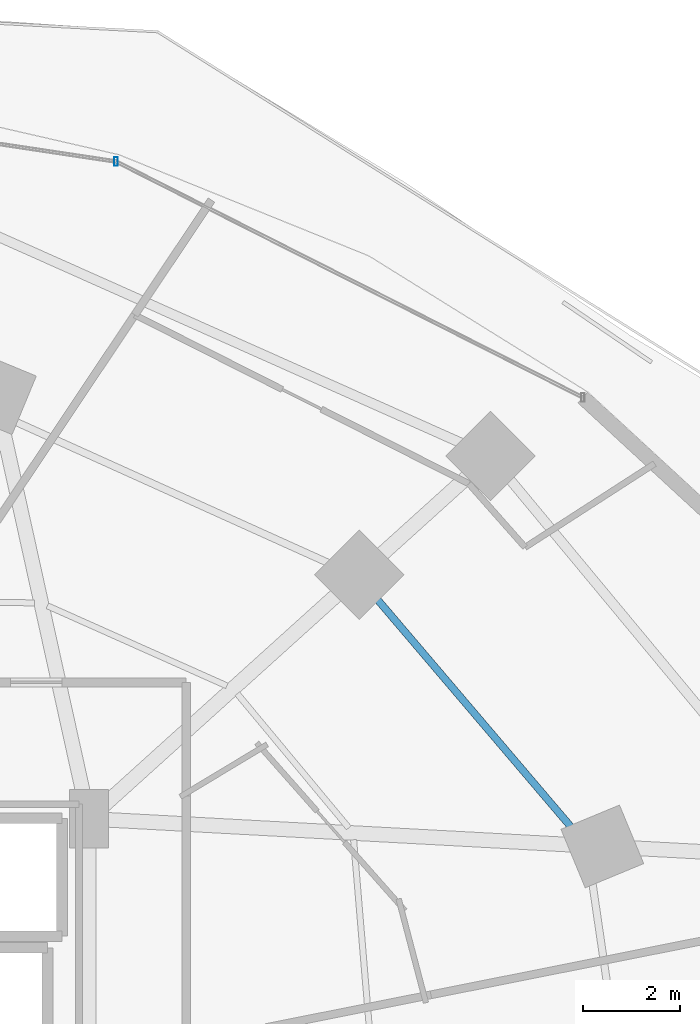
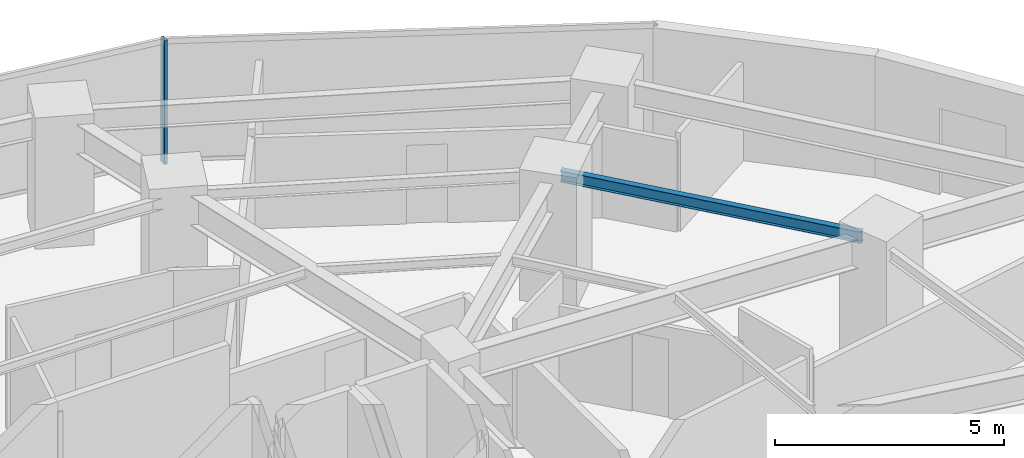
# One storey, part 23 of 33: 1 beam, 1 member, 1 element without a shape of its own.
"""IFC4 building model written with IfcOpenShell, lengths in metres."""

from ifc_helpers import new_model, si_unit, direction, frame, origin, origin_2d, place, context, subcontext, project, spatial, hollow_rectangle, i_section, extrude, material, material_profile, profile_set, type_object, element, aggregate, save


model = new_model("IFC4")

# Units and contexts
model_context = context("Model", 3, precision=1e-05, world=origin(), true_north=direction((0.0, 1.0)))
body_context = subcontext(model_context, "Body", "Model", "MODEL_VIEW")
ifc_project = project(units=[si_unit("LENGTHUNIT", "METRE"), si_unit("AREAUNIT", "SQUARE_METRE"), si_unit("VOLUMEUNIT", "CUBIC_METRE"), si_unit("PLANEANGLEUNIT", "RADIAN"), si_unit("MASSUNIT", "GRAM", prefix="KILO")], contexts=[model_context])

# Site, building, storey
site_placement = place(None, origin())
site = spatial("IfcSite", under=ifc_project, at=site_placement, CompositionType="ELEMENT")
building_placement = place(site_placement, origin())
building = spatial("IfcBuilding", under=site, at=building_placement, Name="Vorneva Point Tower", CompositionType="ELEMENT")
storey_placement = place(building_placement, frame((0.0, 0.0, 38.0)))
storey = spatial("IfcBuildingStorey", under=building, at=storey_placement, Name="L09", CompositionType="ELEMENT", Elevation=38.0)

# Beam
ifc_material_1 = material(Name="Steel S355", Category="steel")
ifc_material_profile_1 = material_profile(ifc_material_1, i_section(OverallWidth=0.14892578125, OverallDepth=0.298095703125, WebThickness=0.005615234375, FlangeThickness=0.008056640625, at=origin_2d()), Name="30B1")
ifc_profile_set_1 = profile_set([ifc_material_profile_1], Name="Steel S355")
beam_type = type_object("IfcBeamType", Name="BM-JST-30B1", PredefinedType="JOIST", material=ifc_profile_set_1)
beam_placement = place(storey_placement, frame((58.8896484375, 32.704345703125, 3.091064453125), z_axis=(-0.648222881184, 0.761450652577, 0.0), x_axis=(-0.761450652577, -0.648222881184, 0.0)))
element("IfcBeam", 1, at=beam_placement, inside=storey, type_object=beam_type, Name="L09 Secondary Floor Beam 1.02", PredefinedType="JOIST", context=body_context, shape_type="SweptSolid", body=[
    extrude(i_section(OverallWidth=0.14892578125, OverallDepth=0.298095703125, WebThickness=0.005615234375, FlangeThickness=0.008056640625, at=origin_2d()), origin(), (0.0, 0.0, 1.0), 6.992431640625),
])

# Curtain wall, member
ifc_material_2 = material(Name="Pale anodised aluminium", Category="aluminium")
curtain_wall_type = type_object("IfcCurtainWallType", Name="CW-HTL-SYS", PredefinedType="NOTDEFINED", material=ifc_material_2)
curtain_wall_placement = place(storey_placement, origin())
curtain_wall = element("IfcCurtainWall", 2, at=curtain_wall_placement, inside=storey, type_object=curtain_wall_type, Name="L09 Unitised Curtain Wall CW-L09-R02", PredefinedType="NOTDEFINED")
ifc_material_profile_2 = material_profile(ifc_material_2, hollow_rectangle(XDim=0.074951171875, YDim=0.179931640625, WallThickness=0.00390625, at=origin_2d()), Name="AL-MUL 180x75x4")
ifc_profile_set_2 = profile_set([ifc_material_profile_2], Name="Pale anodised aluminium")
member_type = type_object("IfcMemberType", Name="CW-MUL-180", PredefinedType="MULLION", material=ifc_profile_set_2)
member_placement = place(storey_placement, frame((49.308349609375, 46.648681640625, -0.0400390625), z_axis=(0.0, 0.0, 1.0), x_axis=(1.0, 0.0, 0.0)))
member = element("IfcMember", 3, at=member_placement, type_object=member_type, Name="CW-L09-R02 Mullion 02", PredefinedType="MULLION", context=body_context, shape_type="SweptSolid", body=[
    extrude(hollow_rectangle(XDim=0.074951171875, YDim=0.179931640625, WallThickness=0.00390625, at=origin_2d()), origin(), (0.0, 0.0, 1.0), 3.31005859375),
])
aggregate(curtain_wall, [member])

save(model, "model.ifc")
